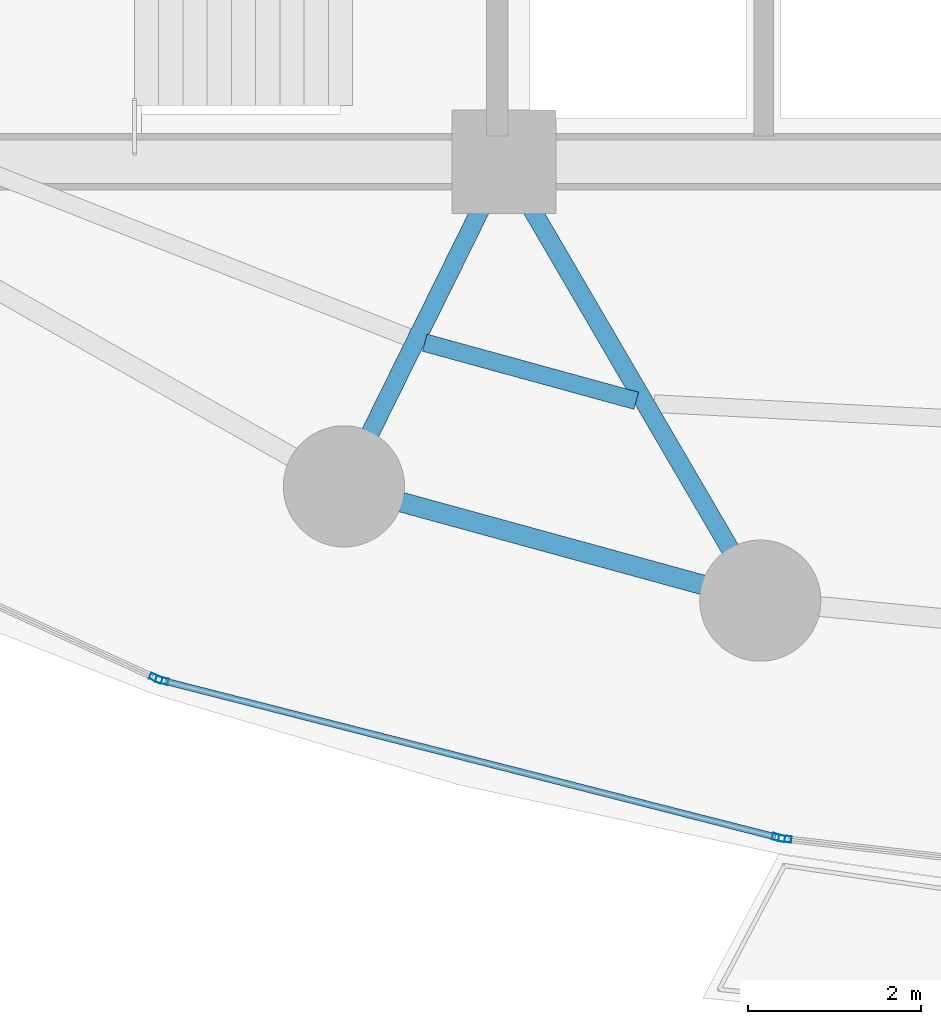
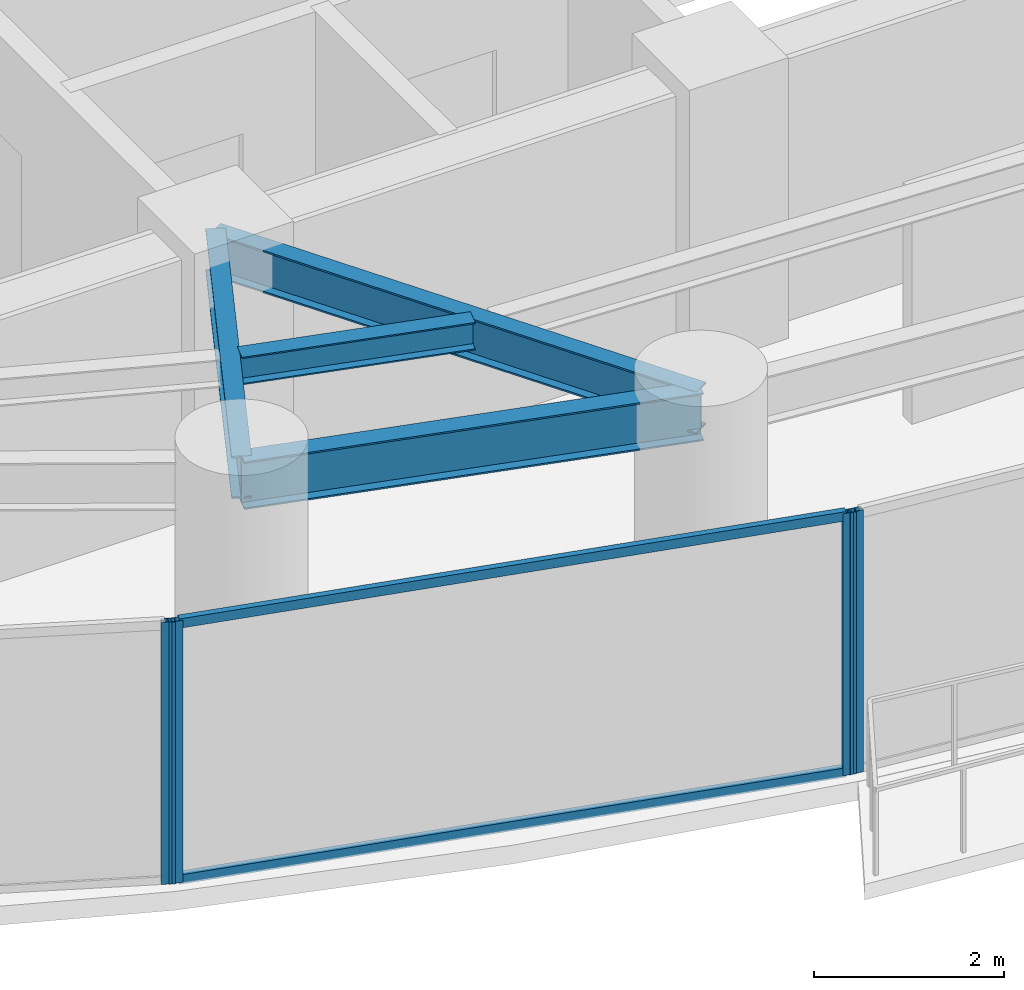
# One storey, part 5 of 33: 6 members, 4 beams, 3 elements without a shape of their own.
"""IFC4 building model written with IfcOpenShell, lengths in metres."""

from ifc_helpers import new_model, si_unit, direction, frame, origin, origin_2d, place, context, subcontext, project, spatial, hollow_rectangle, i_section, extrude, material, layer, layer_set, material_profile, profile_set, type_object, element, aggregate, save


model = new_model("IFC4")

# Units and contexts
model_context = context("Model", 3, precision=1e-05, world=origin(), true_north=direction((0.0, 1.0)))
body_context = subcontext(model_context, "Body", "Model", "MODEL_VIEW")
ifc_project = project(units=[si_unit("LENGTHUNIT", "METRE"), si_unit("AREAUNIT", "SQUARE_METRE"), si_unit("VOLUMEUNIT", "CUBIC_METRE"), si_unit("PLANEANGLEUNIT", "RADIAN"), si_unit("MASSUNIT", "GRAM", prefix="KILO")], contexts=[model_context])

# Site, building, storey
site_placement = place(None, origin())
site = spatial("IfcSite", under=ifc_project, at=site_placement, CompositionType="ELEMENT")
building_placement = place(site_placement, origin())
building = spatial("IfcBuilding", under=site, at=building_placement, Name="Kazevale Care Tower and Concert Hall", CompositionType="ELEMENT")
storey_placement = place(building_placement, frame((0.0, 0.0, 49.199951171875)))
storey = spatial("IfcBuildingStorey", under=building, at=storey_placement, Name="L12", CompositionType="ELEMENT", Elevation=49.199951171875)

# Curtain wall, member
ifc_material_1 = material(Name="Aluminium 6063-T6 and Low-E Glass", Category="aluminium")
ifc_layer = layer(ifc_material_1, 0.179931640625)
ifc_layer_set = layer_set([ifc_layer], Name="Aluminium 6063-T6 and Low-E Glass")
curtain_wall_type = type_object("IfcCurtainWallType", Name="Sheltered Concave Balcony Curtain Wall CW-5", PredefinedType="NOTDEFINED", material=ifc_layer_set)
curtain_wall_1_placement = place(storey_placement, origin())
curtain_wall_1 = element("IfcCurtainWall", 1, at=curtain_wall_1_placement, inside=storey, type_object=curtain_wall_type, Name="cw:L12:f07", PredefinedType="NOTDEFINED")
ifc_material_2 = material(Name="Aluminium 6063-T6", Category="aluminium")
ifc_material_profile_1 = material_profile(ifc_material_2, hollow_rectangle(XDim=0.074951171875, YDim=0.14990234375, WallThickness=0.00390625, at=origin_2d()), Name="ALU75x150x4")
ifc_profile_set_1 = profile_set([ifc_material_profile_1], Name="Aluminium 6063-T6")
member_type_1 = type_object("IfcMemberType", Name="CW-5 Mullion ALU75x150x4", PredefinedType="MULLION", material=ifc_profile_set_1)
member_1_placement = place(storey_placement, frame((33.245361328125, 15.77783203125, 0.0), z_axis=(0.0, 0.0, 1.0), x_axis=(-0.113704773808, -0.993514581883, 0.0)))
member_1 = element("IfcMember", 2, at=member_1_placement, type_object=member_type_1, Name="CW-5 mullion 2", PredefinedType="MULLION", context=body_context, shape_type="SweptSolid", body=[
    extrude(hollow_rectangle(XDim=0.074951171875, YDim=0.14990234375, WallThickness=0.00390625, at=origin_2d()), origin(), (0.0, 0.0, 1.0), 3.360107421875),
])
aggregate(curtain_wall_1, [member_1])

# Curtain wall, members
curtain_wall_2_placement = place(storey_placement, origin())
curtain_wall_2 = element("IfcCurtainWall", 3, at=curtain_wall_2_placement, inside=storey, type_object=curtain_wall_type, Name="cw:L12:f08", PredefinedType="NOTDEFINED")
member_2_placement = place(storey_placement, frame((33.171630859375, 15.791259765625, 0.0), z_axis=(0.0, 0.0, 1.0), x_axis=(-0.247221864936, -0.968958899798, 0.0)))
member_2 = element("IfcMember", 4, at=member_2_placement, type_object=member_type_1, Name="CW-5 mullion 1", PredefinedType="MULLION", context=body_context, shape_type="SweptSolid", body=[
    extrude(hollow_rectangle(XDim=0.074951171875, YDim=0.14990234375, WallThickness=0.00390625, at=origin_2d()), origin(), (0.0, 0.0, 1.0), 3.360107421875),
])
member_3_placement = place(storey_placement, frame((26.04833984375, 17.608642578125, 0.0), z_axis=(0.0, 0.0, 1.0), x_axis=(-0.247221864936, -0.968958899798, 0.0)))
member_3 = element("IfcMember", 5, at=member_3_placement, type_object=member_type_1, Name="CW-5 mullion 2", PredefinedType="MULLION", context=body_context, shape_type="SweptSolid", body=[
    extrude(hollow_rectangle(XDim=0.074951171875, YDim=0.14990234375, WallThickness=0.00390625, at=origin_2d()), origin(), (0.0, 0.0, 1.0), 3.360107421875),
])

# Curtain wall, member
curtain_wall_3_placement = place(storey_placement, origin())
curtain_wall_3 = element("IfcCurtainWall", 6, at=curtain_wall_3_placement, inside=storey, type_object=curtain_wall_type, Name="cw:L12:f09", PredefinedType="NOTDEFINED")
member_4_placement = place(storey_placement, frame((25.977783203125, 17.633544921875, 0.0), z_axis=(0.0, 0.0, 1.0), x_axis=(-0.415659767773, -0.909520179795, 0.0)))
member_4 = element("IfcMember", 7, at=member_4_placement, type_object=member_type_1, Name="CW-5 mullion 1", PredefinedType="MULLION", context=body_context, shape_type="SweptSolid", body=[
    extrude(hollow_rectangle(XDim=0.074951171875, YDim=0.14990234375, WallThickness=0.00390625, at=origin_2d()), origin(), (0.0, 0.0, 1.0), 3.360107421875),
])
aggregate(curtain_wall_3, [member_4])

# Member
ifc_material_profile_2 = material_profile(ifc_material_2, hollow_rectangle(XDim=0.074951171875, YDim=0.1201171875, WallThickness=0.00390625, at=origin_2d()), Name="ALU75x120x4")
ifc_profile_set_2 = profile_set([ifc_material_profile_2], Name="Aluminium 6063-T6")
member_type_2 = type_object("IfcMemberType", Name="CW-5 Transom ALU75x120x4", PredefinedType="USERDEFINED", material=ifc_profile_set_2)
member_5_placement = place(storey_placement, frame((33.13525390625, 15.800537109375, 0.03759765625), z_axis=(-0.968960816419, 0.24721435283, 0.0), x_axis=(-0.24721435283, -0.968960816419, 0.0)))
member_5 = element("IfcMember", 8, at=member_5_placement, type_object=member_type_2, Name="CW-5 transom 1.1", ObjectType="TRANSOM", PredefinedType="USERDEFINED", context=body_context, shape_type="SweptSolid", body=[
    extrude(hollow_rectangle(XDim=0.074951171875, YDim=0.1201171875, WallThickness=0.00390625, at=origin_2d()), origin(), (0.0, 0.0, 1.0), 7.2763671875),
])

member_6_placement = place(storey_placement, frame((33.13525390625, 15.800537109375, 3.322509765625), z_axis=(-0.968960816419, 0.24721435283, 0.0), x_axis=(-0.24721435283, -0.968960816419, 0.0)))
member_6 = element("IfcMember", 9, at=member_6_placement, type_object=member_type_2, Name="CW-5 transom 1.2", ObjectType="TRANSOM", PredefinedType="USERDEFINED", context=body_context, shape_type="SweptSolid", body=[
    extrude(hollow_rectangle(XDim=0.074951171875, YDim=0.1201171875, WallThickness=0.00390625, at=origin_2d()), origin(), (0.0, 0.0, 1.0), 7.2763671875),
])

aggregate(curtain_wall_2, [member_2, member_3, member_5, member_6])

# Beams
ifc_material_3 = material(Name="Steel ASTM A572 Gr 50", Category="steel")
ifc_material_profile_3 = material_profile(ifc_material_3, i_section(OverallWidth=0.2119140625, OverallDepth=0.5439453125, WebThickness=0.01318359375, FlangeThickness=0.021240234375, at=origin_2d()), Name="W530x123")
ifc_profile_set_3 = profile_set([ifc_material_profile_3], Name="Steel ASTM A572 Gr 50")
beam_type_1 = type_object("IfcBeamType", Name="Radial Floor Girder W530x123", PredefinedType="BEAM", material=ifc_profile_set_3)
beam_1_placement = place(storey_placement, frame((30.0, 23.60009765625, 3.088134765625), z_axis=(-0.442443019162, -0.896796618412, 0.0), x_axis=(0.896796618412, -0.442443019162, 0.0)))
element("IfcBeam", 10, at=beam_1_placement, inside=storey, type_object=beam_type_1, Name="beam:L12:rad:11", PredefinedType="BEAM", context=body_context, shape_type="SweptSolid", body=[
    extrude(i_section(OverallWidth=0.2119140625, OverallDepth=0.5439453125, WebThickness=0.01318359375, FlangeThickness=0.021240234375, at=origin_2d()), origin(), (0.0, 0.0, 1.0), 4.181640625),
])
beam_2_placement = place(storey_placement, frame((30.0, 23.60009765625, 3.088134765625), z_axis=(0.50417868077, -0.86359936189, 0.0), x_axis=(0.86359936189, 0.50417868077, 0.0)))
element("IfcBeam", 11, at=beam_2_placement, inside=storey, type_object=beam_type_1, Name="beam:L12:rad:12", PredefinedType="BEAM", context=body_context, shape_type="SweptSolid", body=[
    extrude(i_section(OverallWidth=0.2119140625, OverallDepth=0.5439453125, WebThickness=0.01318359375, FlangeThickness=0.021240234375, at=origin_2d()), origin(), (0.0, 0.0, 1.0), 5.870849609375),
])
ifc_material_profile_4 = material_profile(ifc_material_3, i_section(OverallWidth=0.22900390625, OverallDepth=0.612060546875, WebThickness=0.011962890625, FlangeThickness=0.01953125, at=origin_2d()), Name="W610x125")
ifc_profile_set_4 = profile_set([ifc_material_profile_4], Name="Steel ASTM A572 Gr 50")
beam_type_2 = type_object("IfcBeamType", Name="Ring Spandrel Beam W610x125", PredefinedType="SPANDREL", material=ifc_profile_set_4)
beam_3_placement = place(storey_placement, frame((28.14990234375, 19.85009765625, 3.053955078125), z_axis=(0.964343540473, -0.264653615031, 0.0), x_axis=(0.264653615031, 0.964343540473, 0.0)))
element("IfcBeam", 12, at=beam_3_placement, inside=storey, type_object=beam_type_2, Name="beam:L12:ring:11", PredefinedType="SPANDREL", context=body_context, shape_type="SweptSolid", body=[
    extrude(i_section(OverallWidth=0.22900390625, OverallDepth=0.612060546875, WebThickness=0.011962890625, FlangeThickness=0.01953125, at=origin_2d()), origin(), (0.0, 0.0, 1.0), 4.98779296875),
])
ifc_material_profile_5 = material_profile(ifc_material_3, i_section(OverallWidth=0.205078125, OverallDepth=0.35400390625, WebThickness=0.009521484375, FlangeThickness=0.016845703125, at=origin_2d()), Name="W360x79")
ifc_profile_set_5 = profile_set([ifc_material_profile_5], Name="Steel ASTM A572 Gr 50")
beam_type_3 = type_object("IfcBeamType", Name="Secondary Floor Joist W360x79", PredefinedType="JOIST", material=ifc_profile_set_5)
beam_4_placement = place(storey_placement, frame((29.083984375, 21.510009765625, 3.18310546875), z_axis=(0.964302027389, -0.264804833743, 0.0), x_axis=(0.264804833743, 0.964302027389, 0.0)))
element("IfcBeam", 13, at=beam_4_placement, inside=storey, type_object=beam_type_3, Name="beam:L12:joist:11", PredefinedType="JOIST", context=body_context, shape_type="SweptSolid", body=[
    extrude(i_section(OverallWidth=0.205078125, OverallDepth=0.35400390625, WebThickness=0.009521484375, FlangeThickness=0.016845703125, at=origin_2d()), origin(), (0.0, 0.0, 1.0), 2.533447265625),
])

save(model, "model.ifc")
